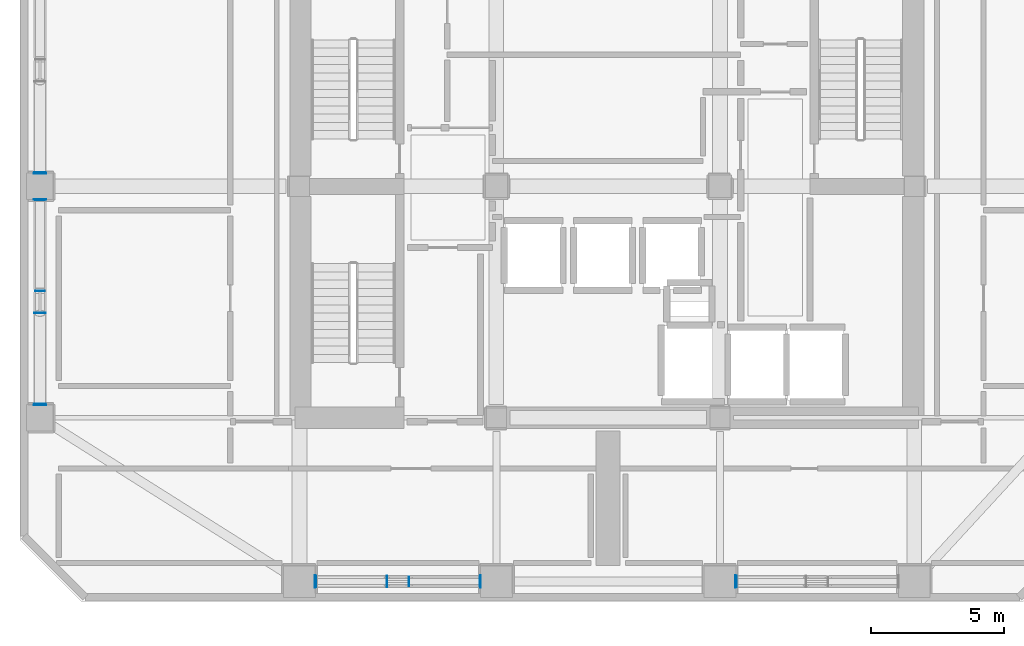
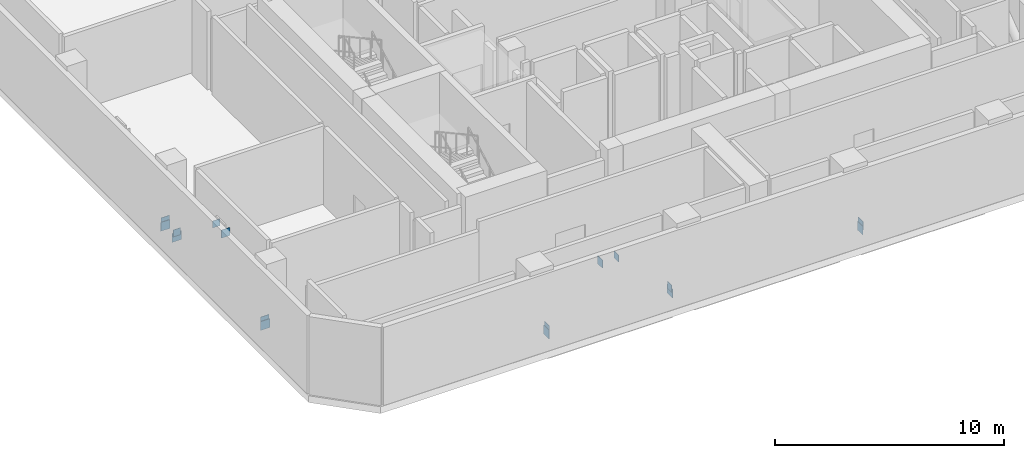
# One storey, part 3 of 12: 16 plates.
"""IFC4 building model written with IfcOpenShell, lengths in metres."""

import ifcopenshell
import ifcopenshell.guid

model = None  # the IFC model being written
_history = None  # IfcOwnerHistory: only IFC2X3 demands one
_inside = {}  # id of a spatial element -> (the spatial element, [elements in it])
_under = {}  # id of a project, library or spatial element -> (it, [spatial elements below it])
_declared = {}  # id of a project -> (the project, [libraries it declares])
_typed = {}  # id of a type object -> (the type object, [elements of that type])
_made_of = {}  # id of a material, layer set ... -> (it, [elements and type objects made of it])


def new_model(schema):
    """Start an empty IFC model of exactly this schema.

    Asked for "IFC4X3", IfcOpenShell would pick the latest addendum, in which some entities
    have other attributes; the version numbers below select the first issue.
    IFC2X3 requires an IfcOwnerHistory on every rooted entity: one is made here for all.
    """
    global model, _history
    if schema == "IFC4X3":
        model = ifcopenshell.file(schema_version=(4, 3, 0, 0))
    else:
        model = ifcopenshell.file(schema=schema)
    _inside.clear()
    _under.clear()
    _declared.clear()
    _typed.clear()
    _made_of.clear()
    _history = None
    if model.schema == "IFC2X3":
        org = make("IfcOrganization", Name="unknown")
        user = make(
            "IfcPersonAndOrganization",
            ThePerson=make("IfcPerson", FamilyName="unknown"),
            TheOrganization=org,
        )
        app = make(
            "IfcApplication",
            ApplicationDeveloper=org,
            Version="unknown",
            ApplicationFullName="unknown",
            ApplicationIdentifier="unknown",
        )
        _history = make(
            "IfcOwnerHistory",
            OwningUser=user,
            OwningApplication=app,
            ChangeAction="ADDED",
            CreationDate=0,
        )
    return model


def make(cls, **values):
    """One entity of the class cls with the attributes given. An attribute that is None is left unset."""
    return model.create_entity(
        cls, **{name: value for name, value in values.items() if value is not None}
    )


def rooted(cls, **values):
    """An entity with a GlobalId (a new one), such as an element, a storey or a relation."""
    return make(cls, GlobalId=ifcopenshell.guid.new(), OwnerHistory=_history, **values)


def si_unit(unit_type, name, prefix=None):
    """IfcSIUnit, for example si_unit("LENGTHUNIT", "METRE", prefix="MILLI")."""
    return make("IfcSIUnit", UnitType=unit_type, Prefix=prefix, Name=name)


def assignment(units):
    """IfcUnitAssignment: the units of a project."""
    return None if units is None else make("IfcUnitAssignment", Units=units)


def point(xyz):
    """IfcCartesianPoint."""
    return None if xyz is None else make("IfcCartesianPoint", Coordinates=xyz)


def direction(xyz):
    """IfcDirection."""
    return None if xyz is None else make("IfcDirection", DirectionRatios=xyz)


def frame(location, z_axis=None, x_axis=None):
    """IfcAxis2Placement3D, a coordinate frame: its origin and axes. An axis left out is left unset."""
    return make(
        "IfcAxis2Placement3D",
        Location=point(location),
        Axis=direction(z_axis),
        RefDirection=direction(x_axis),
    )


def frame_2d(location, x_axis=None):
    """IfcAxis2Placement2D, a coordinate frame in the plane: its origin and x axis."""
    return make(
        "IfcAxis2Placement2D", Location=point(location), RefDirection=direction(x_axis)
    )


def origin():
    """The frame at (0, 0, 0) with its axes left unset."""
    return frame((0.0, 0.0, 0.0))


def origin_2d():
    """The frame at (0, 0) in the plane with its x axis left unset."""
    return frame_2d((0.0, 0.0))


def place(relative_to, where):
    """IfcLocalPlacement: puts the frame where relative to a parent placement (None: the world)."""
    return make(
        "IfcLocalPlacement", PlacementRelTo=relative_to, RelativePlacement=where
    )


def context(
    kind, dimensions, precision=None, world=None, true_north=None, identifier=None
):
    """IfcGeometricRepresentationContext, for example the 3D "Model" context."""
    return make(
        "IfcGeometricRepresentationContext",
        ContextIdentifier=identifier,
        ContextType=kind,
        CoordinateSpaceDimension=dimensions,
        Precision=precision,
        WorldCoordinateSystem=world,
        TrueNorth=true_north,
    )


def subcontext(parent, identifier, kind, view, scale=None):
    """IfcGeometricRepresentationSubContext, for example "Body" below "Model"."""
    return make(
        "IfcGeometricRepresentationSubContext",
        ContextIdentifier=identifier,
        ContextType=kind,
        ParentContext=parent,
        TargetScale=scale,
        TargetView=view,
    )


def project(units=None, contexts=None):
    """IfcProject with its units and contexts."""
    return rooted(
        "IfcProject",
        Name="project",
        RepresentationContexts=contexts,
        UnitsInContext=assignment(units),
    )


def spatial(cls, under=None, at=None, **own):
    """A site, building, storey or space (cls), placed at a placement, below another one or the project."""
    s = rooted(cls, ObjectPlacement=at, **own)
    if under is not None:
        _under.setdefault(under.id(), (under, []))[1].append(s)
    return s


def profile(cls, at=None, kind="AREA", **sizes):
    """A parametric profile (cls). Its sizes go by their IFC names, for example OverallWidth=200.0."""
    return make(cls, ProfileType=kind, Position=at, **sizes)


def rectangle(**sizes):
    """IfcRectangleProfileDef."""
    return profile("IfcRectangleProfileDef", **sizes)


def extrude(swept, where, along, depth):
    """IfcExtrudedAreaSolid: the profile swept, set in the frame where, extruded along a direction by depth."""
    return make(
        "IfcExtrudedAreaSolid",
        SweptArea=swept,
        Position=where,
        ExtrudedDirection=direction(along),
        Depth=depth,
    )


def shape(context_of_items, identifier, shape_type, items):
    """IfcShapeRepresentation: the items that make up one representation, for example the "Body"."""
    return make(
        "IfcShapeRepresentation",
        ContextOfItems=context_of_items,
        RepresentationIdentifier=identifier,
        RepresentationType=shape_type,
        Items=items,
    )


def material(Name=None, Category=None):
    """IfcMaterial."""
    return make("IfcMaterial", Name=Name, Category=Category)


def layer(
    of_material, thickness, ventilated=None, Name=None, Category=None, Priority=None
):
    """IfcMaterialLayer: one layer of a wall or slab, of a material (None: an air gap)."""
    return make(
        "IfcMaterialLayer",
        Material=of_material,
        LayerThickness=thickness,
        IsVentilated=ventilated,
        Name=Name,
        Category=Category,
        Priority=Priority,
    )


def layer_set(layers, Name=None):
    """IfcMaterialLayerSet."""
    return make("IfcMaterialLayerSet", MaterialLayers=layers, LayerSetName=Name)


def made_of(thing, what):
    """Note that an element or type object is made of a material, layer set ...; save() writes the relation."""
    if what is not None:
        _made_of.setdefault(what.id(), (what, []))[1].append(thing)
    return thing


def type_object(cls, material=None, **own):
    """A type object (cls), such as IfcWallType, which elements share."""
    return made_of(rooted(cls, **own), material)


def element(
    cls,
    number,
    at=None,
    inside=None,
    cuts=None,
    type_object=None,
    material=None,
    context=None,
    identifier="Body",
    shape_type=None,
    held_by="IfcProductDefinitionShape",
    body=None,
    shapes=None,
    **own,
):
    """One element of the class cls, such as IfcWall. Its Tag is "e" and its number.

    at: its placement. inside: the storey or other place that contains it. cuts: it is an
    opening in that element (IfcRelVoidsElement). A single representation is given by context,
    identifier, shape_type and body (its items); several are given by shapes. held_by: the class
    of the entity that holds the representations. save() writes the other relations.
    """
    e = rooted(cls, Tag="e%d" % number, ObjectPlacement=at, **own)
    if body is not None:
        shapes = [shape(context, identifier, shape_type, body)]
    if shapes is not None:
        e.Representation = make(held_by, Representations=shapes)
    if inside is not None:
        _inside.setdefault(inside.id(), (inside, []))[1].append(e)
    if cuts is not None:
        rooted(
            "IfcRelVoidsElement", RelatingBuildingElement=cuts, RelatedOpeningElement=e
        )
    if type_object is not None:
        _typed.setdefault(type_object.id(), (type_object, []))[1].append(e)
    return made_of(e, material)


def aggregate(whole, parts):
    """IfcRelAggregates: a whole, such as a stair, and the parts it consists of."""
    return rooted("IfcRelAggregates", RelatingObject=whole, RelatedObjects=parts)


def save(model, path):
    """Write the relations noted so far, then the file.

    IfcRelAggregates (storeys below a building ...), IfcRelContainedInSpatialStructure (elements
    in a storey), IfcRelDefinesByType, IfcRelAssociatesMaterial and IfcRelDeclares: one each for
    every whole, place, type object, material and project.
    """
    for whole, parts in _under.values():
        aggregate(whole, parts)
    for where, things in _inside.values():
        rooted(
            "IfcRelContainedInSpatialStructure",
            RelatedElements=things,
            RelatingStructure=where,
        )
    for kind, things in _typed.values():
        rooted("IfcRelDefinesByType", RelatedObjects=things, RelatingType=kind)
    for what, things in _made_of.values():
        rooted("IfcRelAssociatesMaterial", RelatedObjects=things, RelatingMaterial=what)
    for by, libraries in _declared.values():
        rooted("IfcRelDeclares", RelatingContext=by, RelatedDefinitions=libraries)
    model.write(path)


model = new_model("IFC4")

# Units and contexts
model_context = context("Model", 3, precision=1e-05, world=origin(), true_north=direction((0.0, 1.0)))
body_context = subcontext(model_context, "Body", "Model", "MODEL_VIEW")
ifc_project = project(units=[si_unit("LENGTHUNIT", "METRE"), si_unit("AREAUNIT", "SQUARE_METRE"), si_unit("VOLUMEUNIT", "CUBIC_METRE"), si_unit("PLANEANGLEUNIT", "RADIAN"), si_unit("MASSUNIT", "GRAM", prefix="KILO")], contexts=[model_context])

# Site, building, storey
site_placement = place(None, origin())
site = spatial("IfcSite", under=ifc_project, at=site_placement, CompositionType="ELEMENT")
building_placement = place(site_placement, origin())
building = spatial("IfcBuilding", under=site, at=building_placement, Name="Solanera Arch Residences", CompositionType="ELEMENT")
storey_placement = place(building_placement, frame((0.0, 0.0, 172.47998046875)))
storey = spatial("IfcBuildingStorey", under=building, at=storey_placement, Name="L50", CompositionType="ELEMENT", Elevation=172.47998046875)

# Plates
ifc_material = material(Name="Steel S355 (ASTM A992 / A572 Grade 50)", Category="steel")
ifc_layer = layer(ifc_material, 0.02001953125)
ifc_layer_set = layer_set([ifc_layer], Name="Steel S355 (ASTM A992 / A572 Grade 50)")
plate_type = type_object("IfcPlateType", Name="End Cap Plate EC-20", PredefinedType="USERDEFINED", material=ifc_layer_set)
for number, where, z_axis, x_axis, name in (
    (1, (13.989990234375, 15.85009765625, 0.21484375), (0.0, 0.0, 1.0), (-1.0, 0.0, 0.0), "Hollow Section End Cap 169"),
    (2, (20.2099609375, 15.85009765625, 0.21484375), (0.0, 0.0, 1.0), (1.0, 0.0, 0.0), "Hollow Section End Cap 170"),
):
    element("IfcPlate", number, at=place(storey_placement, frame(where, z_axis=z_axis, x_axis=x_axis)), inside=storey, type_object=plate_type, Name=name, ObjectType="STIFFENER", PredefinedType="USERDEFINED", context=body_context, shape_type="SweptSolid", body=[
        extrude(rectangle(XDim=0.02001953125, YDim=0.469970703125, at=origin_2d()), origin(), (0.0, 0.0, 1.0), 0.469970703125),
    ])
for number, where, z_axis, x_axis, name in (
    (3, (14.012939453125, 15.85009765625, 0.47509765625), (0.0, 0.0, 1.0), (-1.0, 0.0, 0.0), "Hollow Section End Cap 171"),
    (4, (16.68701171875, 15.85009765625, 3.02880859375), (0.0, 0.0, 1.0), (1.0, 0.0, 0.0), "Hollow Section End Cap 172"),
):
    element("IfcPlate", number, at=place(storey_placement, frame(where, z_axis=z_axis, x_axis=x_axis)), inside=storey, type_object=plate_type, Name=name, ObjectType="STIFFENER", PredefinedType="USERDEFINED", context=body_context, shape_type="SweptSolid", body=[
        extrude(rectangle(XDim=0.02001953125, YDim=0.426025390625, at=origin_2d()), origin(), (0.0, 0.0, 1.0), 0.426025390625),
    ])
for number, where, z_axis, x_axis, name in (
    (5, (20.18701171875, 15.85009765625, 0.5029296875), (0.0, 0.0, 1.0), (1.0, 0.0, 0.0), "Hollow Section End Cap 173"),
    (6, (17.512939453125, 15.85009765625, 3.056884765625), (0.0, 0.0, 1.0), (-1.0, 0.0, 0.0), "Hollow Section End Cap 174"),
):
    element("IfcPlate", number, at=place(storey_placement, frame(where, z_axis=z_axis, x_axis=x_axis)), inside=storey, type_object=plate_type, Name=name, ObjectType="STIFFENER", PredefinedType="USERDEFINED", context=body_context, shape_type="SweptSolid", body=[
        extrude(rectangle(XDim=0.02001953125, YDim=0.3701171875, at=origin_2d()), origin(), (0.0, 0.0, 1.0), 0.3701171875),
    ])
plate_1_placement = place(storey_placement, frame((29.7900390625, 15.85009765625, 0.21484375), z_axis=(0.0, 0.0, 1.0), x_axis=(-1.0, 0.0, 0.0)))
element("IfcPlate", 7, at=plate_1_placement, inside=storey, type_object=plate_type, Name="Hollow Section End Cap 175", ObjectType="STIFFENER", PredefinedType="USERDEFINED", context=body_context, shape_type="SweptSolid", body=[
    extrude(rectangle(XDim=0.02001953125, YDim=0.469970703125, at=origin_2d()), origin(), (0.0, 0.0, 1.0), 0.469970703125),
])
plate_2_placement = place(storey_placement, frame((29.81298828125, 15.85009765625, 0.47509765625), z_axis=(0.0, 0.0, 1.0), x_axis=(-1.0, 0.0, 0.0)))
element("IfcPlate", 8, at=plate_2_placement, inside=storey, type_object=plate_type, Name="Hollow Section End Cap 177", ObjectType="STIFFENER", PredefinedType="USERDEFINED", context=body_context, shape_type="SweptSolid", body=[
    extrude(rectangle(XDim=0.02001953125, YDim=0.426025390625, at=origin_2d()), origin(), (0.0, 0.0, 1.0), 0.426025390625),
])
for number, where, z_axis, x_axis, name in (
    (9, (3.64990234375, 22.489990234375, 0.21484375), (0.0, 0.0, 1.0), (0.0, -1.0, 0.0), "Hollow Section End Cap 193"),
    (10, (3.64990234375, 30.2099609375, 0.21484375), (0.0, 0.0, 1.0), (0.0, 1.0, 0.0), "Hollow Section End Cap 194"),
):
    element("IfcPlate", number, at=place(storey_placement, frame(where, z_axis=z_axis, x_axis=x_axis)), inside=storey, type_object=plate_type, Name=name, ObjectType="STIFFENER", PredefinedType="USERDEFINED", context=body_context, shape_type="SweptSolid", body=[
        extrude(rectangle(XDim=0.02001953125, YDim=0.469970703125, at=origin_2d()), origin(), (0.0, 0.0, 1.0), 0.469970703125),
    ])
for number, where, z_axis, x_axis, name in (
    (11, (3.64990234375, 22.511962890625, 0.47607421875), (0.0, 0.0, 1.0), (0.0, -1.0, 0.0), "Hollow Section End Cap 195"),
    (12, (3.64990234375, 25.93798828125, 3.02783203125), (0.0, 0.0, 1.0), (0.0, 1.0, 0.0), "Hollow Section End Cap 196"),
):
    element("IfcPlate", number, at=place(storey_placement, frame(where, z_axis=z_axis, x_axis=x_axis)), inside=storey, type_object=plate_type, Name=name, ObjectType="STIFFENER", PredefinedType="USERDEFINED", context=body_context, shape_type="SweptSolid", body=[
        extrude(rectangle(XDim=0.02001953125, YDim=0.426025390625, at=origin_2d()), origin(), (0.0, 0.0, 1.0), 0.426025390625),
    ])
for number, where, z_axis, x_axis, name in (
    (13, (3.64990234375, 30.18798828125, 0.50390625), (0.0, 0.0, 1.0), (0.0, 1.0, 0.0), "Hollow Section End Cap 197"),
    (14, (3.64990234375, 26.761962890625, 3.055908203125), (0.0, 0.0, 1.0), (0.0, -1.0, 0.0), "Hollow Section End Cap 198"),
):
    element("IfcPlate", number, at=place(storey_placement, frame(where, z_axis=z_axis, x_axis=x_axis)), inside=storey, type_object=plate_type, Name=name, ObjectType="STIFFENER", PredefinedType="USERDEFINED", context=body_context, shape_type="SweptSolid", body=[
        extrude(rectangle(XDim=0.02001953125, YDim=0.3701171875, at=origin_2d()), origin(), (0.0, 0.0, 1.0), 0.3701171875),
    ])
plate_3_placement = place(storey_placement, frame((3.64990234375, 31.18994140625, 0.21484375), z_axis=(0.0, 0.0, 1.0), x_axis=(0.0, -1.0, 0.0)))
element("IfcPlate", 15, at=plate_3_placement, inside=storey, type_object=plate_type, Name="Hollow Section End Cap 199", ObjectType="STIFFENER", PredefinedType="USERDEFINED", context=body_context, shape_type="SweptSolid", body=[
    extrude(rectangle(XDim=0.02001953125, YDim=0.469970703125, at=origin_2d()), origin(), (0.0, 0.0, 1.0), 0.469970703125),
])
plate_4_placement = place(storey_placement, frame((3.64990234375, 31.2119140625, 0.47607421875), z_axis=(0.0, 0.0, 1.0), x_axis=(0.0, -1.0, 0.0)))
element("IfcPlate", 16, at=plate_4_placement, inside=storey, type_object=plate_type, Name="Hollow Section End Cap 201", ObjectType="STIFFENER", PredefinedType="USERDEFINED", context=body_context, shape_type="SweptSolid", body=[
    extrude(rectangle(XDim=0.02001953125, YDim=0.426025390625, at=origin_2d()), origin(), (0.0, 0.0, 1.0), 0.426025390625),
])

save(model, "model.ifc")
